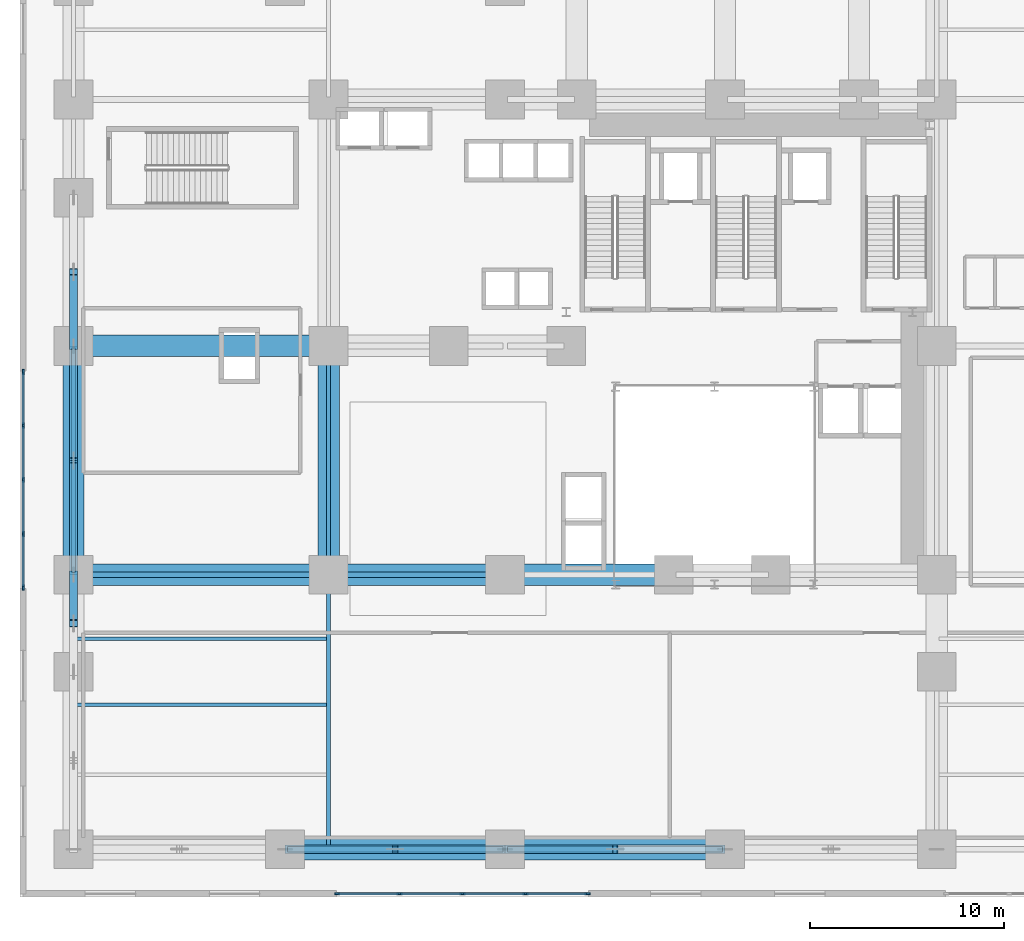
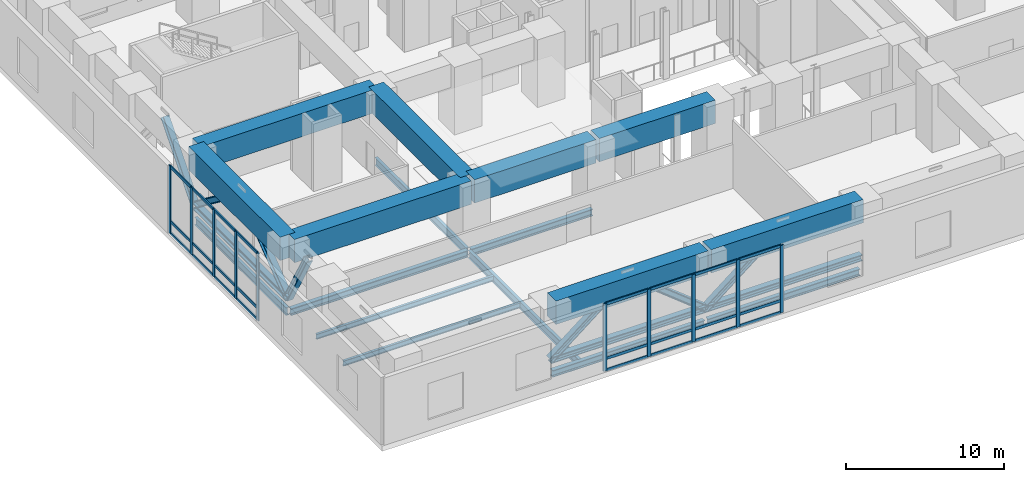
# One storey, part 3 of 17: 44 members, 17 beams, 2 elements without a shape of their own.
"""IFC4 building model written with IfcOpenShell, lengths in metres."""

from ifc_helpers import new_model, si_unit, direction, frame, origin, origin_2d, place, context, subcontext, project, spatial, rectangle, i_section, extrude, source, transform, mapped, material, material_profile, profile_set, type_object, element, aggregate, save


model = new_model("IFC4")

# Units and contexts
model_context = context("Model", 3, precision=1e-05, world=origin(), true_north=direction((0.0, 1.0)))
body_context = subcontext(model_context, "Body", "Model", "MODEL_VIEW")
ifc_project = project(units=[si_unit("LENGTHUNIT", "METRE"), si_unit("AREAUNIT", "SQUARE_METRE"), si_unit("VOLUMEUNIT", "CUBIC_METRE"), si_unit("PLANEANGLEUNIT", "RADIAN"), si_unit("MASSUNIT", "GRAM", prefix="KILO")], contexts=[model_context])

# Site, building, storey
site_placement = place(None, origin())
site = spatial("IfcSite", under=ifc_project, at=site_placement, CompositionType="ELEMENT")
building_placement = place(site_placement, origin())
building = spatial("IfcBuilding", under=site, at=building_placement, Name="Vardaveli Station Tower", CompositionType="ELEMENT")
storey_placement = place(building_placement, frame((0.0, 0.0, 11.39990234375)))
storey = spatial("IfcBuildingStorey", under=building, at=storey_placement, Name="L03", CompositionType="ELEMENT", Elevation=11.39990234375)

# Beams
ifc_material_1 = material(Name="Concrete C60/75", Category="concrete")
ifc_material_profile_1 = material_profile(ifc_material_1, rectangle(XDim=1.10009765625, YDim=1.800048828125, at=origin_2d()), Name="TG 1100x1800")
ifc_profile_set_1 = profile_set([ifc_material_profile_1], Name="Concrete C60/75")
beam_type_1 = type_object("IfcBeamType", Name="BM-TG-1800", PredefinedType="BEAM", material=ifc_profile_set_1)
shared_shape_1 = source(origin(), body_context, "Body", "SweptSolid", [
    extrude(rectangle(XDim=1.10009765625, YDim=1.800048828125, at=origin_2d()), origin(), (0.0, 0.0, 1.0), 11.56005859375),
])
for number, where, z_axis, x_axis, name in (
    (1, (3.25, 17.219970703125, 4.300048828125), (0.0, 1.0, 0.0), (-1.0, 0.0, 0.0), "TG-L03-NS-W-3"),
    (2, (16.39990234375, 17.219970703125, 4.300048828125), (0.0, 1.0, 0.0), (-1.0, 0.0, 0.0), "TG-L03-NS-M1-1"),
):
    element("IfcBeam", number, at=place(storey_placement, frame(where, z_axis=z_axis, x_axis=x_axis)), inside=storey, type_object=beam_type_1, Name=name, PredefinedType="BEAM", context=body_context, shape_type="MappedRepresentation", body=[
        mapped(shared_shape_1, transform((0.0, 0.0, 0.0), scale=1.0)),
    ])
shared_shape_2 = source(origin(), body_context, "Body", "SweptSolid", [
    extrude(rectangle(XDim=1.10009765625, YDim=1.800048828125, at=origin_2d()), origin(), (0.0, 0.0, 1.0), 11.099853515625),
])
for number, where, z_axis, x_axis, name in (
    (3, (14.280029296875, 2.949951171875, 4.300048828125), (1.0, 0.0, 0.0), (0.0, 1.0, 0.0), "TG-L03-EW-S-2"),
    (4, (25.6201171875, 2.949951171875, 4.300048828125), (1.0, 0.0, 0.0), (0.0, 1.0, 0.0), "TG-L03-EW-S-3"),
):
    element("IfcBeam", number, at=place(storey_placement, frame(where, z_axis=z_axis, x_axis=x_axis)), inside=storey, type_object=beam_type_1, Name=name, PredefinedType="BEAM", context=body_context, shape_type="MappedRepresentation", body=[
        mapped(shared_shape_2, transform((0.0, 0.0, 0.0), scale=1.0)),
    ])
shared_shape_3 = source(origin(), body_context, "Body", "SweptSolid", [
    extrude(rectangle(XDim=1.10009765625, YDim=1.800048828125, at=origin_2d()), origin(), (0.0, 0.0, 1.0), 12.909912109375),
])
for number, where, z_axis, x_axis, name in (
    (5, (3.3701171875, 17.10009765625, 4.300048828125), (1.0, 0.0, 0.0), (0.0, 1.0, 0.0), "TG-L03-EW-P-1"),
    (6, (3.3701171875, 28.89990234375, 4.300048828125), (1.0, 0.0, 0.0), (0.0, 1.0, 0.0), "TG-L03-EW-M-1"),
):
    element("IfcBeam", number, at=place(storey_placement, frame(where, z_axis=z_axis, x_axis=x_axis)), inside=storey, type_object=beam_type_1, Name=name, PredefinedType="BEAM", context=body_context, shape_type="MappedRepresentation", body=[
        mapped(shared_shape_3, transform((0.0, 0.0, 0.0), scale=1.0)),
    ])
shared_shape_4 = source(origin(), body_context, "Body", "SweptSolid", [
    extrude(rectangle(XDim=1.10009765625, YDim=1.800048828125, at=origin_2d()), origin(), (0.0, 0.0, 1.0), 8.85986328125),
])
beam_1_placement = place(storey_placement, frame((16.52001953125, 17.10009765625, 4.300048828125), z_axis=(1.0, 0.0, 0.0), x_axis=(0.0, 1.0, 0.0)))
element("IfcBeam", 7, at=beam_1_placement, inside=storey, type_object=beam_type_1, Name="TG-L03-EW-P-2", PredefinedType="BEAM", context=body_context, shape_type="MappedRepresentation", body=[
    mapped(shared_shape_4, transform((0.0, 0.0, 0.0), scale=1.0)),
])
shared_shape_5 = source(origin(), body_context, "Body", "SweptSolid", [
    extrude(rectangle(XDim=1.10009765625, YDim=1.800048828125, at=origin_2d()), origin(), (0.0, 0.0, 1.0), 8.4599609375),
])
beam_2_placement = place(storey_placement, frame((25.6201171875, 17.10009765625, 4.300048828125), z_axis=(1.0, 0.0, 0.0), x_axis=(0.0, 1.0, 0.0)))
element("IfcBeam", 8, at=beam_2_placement, inside=storey, type_object=beam_type_1, Name="TG-L03-EW-P-3", PredefinedType="BEAM", context=body_context, shape_type="MappedRepresentation", body=[
    mapped(shared_shape_5, transform((0.0, 0.0, 0.0), scale=1.0)),
])

# Members
ifc_material_2 = material(Name="Structural steel S460M", Category="steel")
ifc_material_profile_2 = material_profile(ifc_material_2, i_section(OverallWidth=0.424072265625, OverallDepth=0.465087890625, WebThickness=0.034912109375, FlangeThickness=0.055908203125, FilletRadius=0.014892578125, at=origin_2d()), Name="HD 400x592")
ifc_profile_set_2 = profile_set([ifc_material_profile_2], Name="Structural steel S460M")
member_type_1 = type_object("IfcMemberType", Name="MEM-BR-HD592", PredefinedType="BRACE", material=ifc_profile_set_2)
shared_shape_6 = source(origin(), body_context, "Body", "SweptSolid", [
    extrude(i_section(OverallWidth=0.424072265625, OverallDepth=0.465087890625, WebThickness=0.034912109375, FlangeThickness=0.055908203125, FilletRadius=0.014892578125, at=origin_2d()), origin(), (0.0, 0.0, 1.0), 5.147705078125),
])
member_1_placement = place(storey_placement, frame((3.25, 17.10009765625, 0.4501953125), z_axis=(0.0, -0.485642931179, 0.874157276122), x_axis=(1.0, 0.0, 0.0)))
element("IfcMember", 9, at=member_1_placement, inside=storey, type_object=member_type_1, Name="TTR-D2-02", PredefinedType="BRACE", context=body_context, shape_type="MappedRepresentation", body=[
    mapped(shared_shape_6, transform((0.0, 0.0, 0.0), scale=1.0)),
])
ifc_material_profile_3 = material_profile(ifc_material_2, i_section(OverallWidth=0.427978515625, OverallDepth=0.48095703125, WebThickness=0.03955078125, FlangeThickness=0.0634765625, FilletRadius=0.014892578125, at=origin_2d()), Name="HD 400x677")
ifc_profile_set_3 = profile_set([ifc_material_profile_3], Name="Structural steel S460M")
member_type_2 = type_object("IfcMemberType", Name="MEM-CH-HD677", PredefinedType="CHORD", material=ifc_profile_set_3)
shared_shape_7 = source(origin(), body_context, "Body", "SweptSolid", [
    extrude(i_section(OverallWidth=0.427978515625, OverallDepth=0.48095703125, WebThickness=0.03955078125, FlangeThickness=0.0634765625, FilletRadius=0.014892578125, at=origin_2d()), origin(), (0.0, 0.0, 1.0), 11.7998046875),
])
member_2_placement = place(storey_placement, frame((3.25, 17.10009765625, 0.4501953125), z_axis=(0.0, 1.0, 0.0), x_axis=(-1.0, 0.0, 0.0)))
element("IfcMember", 10, at=member_2_placement, inside=storey, type_object=member_type_2, Name="TTR-CH-03", PredefinedType="CHORD", context=body_context, shape_type="MappedRepresentation", body=[
    mapped(shared_shape_7, transform((0.0, 0.0, 0.0), scale=1.0)),
])
shared_shape_8 = source(origin(), body_context, "Body", "SweptSolid", [
    extrude(i_section(OverallWidth=0.424072265625, OverallDepth=0.465087890625, WebThickness=0.034912109375, FlangeThickness=0.055908203125, FilletRadius=0.014892578125, at=origin_2d()), origin(), (0.0, 0.0, 1.0), 7.420166015625),
])
for number, where, z_axis, x_axis, name in (
    (11, (3.25, 17.10009765625, 0.4501953125), (0.0, 0.795117412519, 0.60645552212), (-1.0, 0.0, 0.0), "TTR-D1-03"),
    (12, (3.25, 28.89990234375, 0.4501953125), (0.0, -0.795117412519, 0.60645552212), (1.0, 0.0, 0.0), "TTR-D2-03"),
):
    element("IfcMember", number, at=place(storey_placement, frame(where, z_axis=z_axis, x_axis=x_axis)), inside=storey, type_object=member_type_1, Name=name, PredefinedType="BRACE", context=body_context, shape_type="MappedRepresentation", body=[
        mapped(shared_shape_8, transform((0.0, 0.0, 0.0), scale=1.0)),
    ])
shared_shape_9 = source(origin(), body_context, "Body", "SweptSolid", [
    extrude(i_section(OverallWidth=0.424072265625, OverallDepth=0.465087890625, WebThickness=0.034912109375, FlangeThickness=0.055908203125, FilletRadius=0.014892578125, at=origin_2d()), origin(), (0.0, 0.0, 1.0), 5.90283203125),
])
member_3_placement = place(storey_placement, frame((3.25, 28.89990234375, 0.4501953125), z_axis=(0.0, 0.64716325183, 0.76235144486), x_axis=(-1.0, 0.0, 0.0)))
element("IfcMember", 13, at=member_3_placement, inside=storey, type_object=member_type_1, Name="TTR-D1-04", PredefinedType="BRACE", context=body_context, shape_type="MappedRepresentation", body=[
    mapped(shared_shape_9, transform((0.0, 0.0, 0.0), scale=1.0)),
])
shared_shape_10 = source(origin(), body_context, "Body", "SweptSolid", [
    extrude(i_section(OverallWidth=0.427978515625, OverallDepth=0.48095703125, WebThickness=0.03955078125, FlangeThickness=0.0634765625, FilletRadius=0.014892578125, at=origin_2d()), origin(), (0.0, 0.0, 1.0), 11.340087890625),
])
for number, where, z_axis, x_axis, name in (
    (14, (14.159912109375, 2.949951171875, 0.4501953125), (1.0, 0.0, 0.0), (0.0, 1.0, 0.0), "TTR-CH-10"),
    (15, (25.5, 2.949951171875, 0.4501953125), (1.0, 0.0, 0.0), (0.0, 1.0, 0.0), "TTR-CH-11"),
):
    element("IfcMember", number, at=place(storey_placement, frame(where, z_axis=z_axis, x_axis=x_axis)), inside=storey, type_object=member_type_2, Name=name, PredefinedType="CHORD", context=body_context, shape_type="MappedRepresentation", body=[
        mapped(shared_shape_10, transform((0.0, 0.0, 0.0), scale=1.0)),
    ])
shared_shape_11 = source(origin(), body_context, "Body", "SweptSolid", [
    extrude(i_section(OverallWidth=0.424072265625, OverallDepth=0.465087890625, WebThickness=0.034912109375, FlangeThickness=0.055908203125, FilletRadius=0.014892578125, at=origin_2d()), origin(), (0.0, 0.0, 1.0), 7.23876953125),
])
member_4_placement = place(storey_placement, frame((14.159912109375, 2.949951171875, 0.4501953125), z_axis=(0.783297766016, 0.0, 0.621646692065), x_axis=(0.0, 1.0, 0.0)))
element("IfcMember", 16, at=member_4_placement, inside=storey, type_object=member_type_1, Name="TTR-D1-10", PredefinedType="BRACE", context=body_context, shape_type="MappedRepresentation", body=[
    mapped(shared_shape_11, transform((0.0, 0.0, 0.0), scale=1.0)),
])
shared_shape_12 = source(origin(), body_context, "Body", "SweptSolid", [
    extrude(i_section(OverallWidth=0.424072265625, OverallDepth=0.465087890625, WebThickness=0.034912109375, FlangeThickness=0.055908203125, FilletRadius=0.014892578125, at=origin_2d()), origin(), (0.0, 0.0, 1.0), 7.238525390625),
])
for number, where, z_axis, x_axis, name in (
    (17, (25.5, 2.949951171875, 0.4501953125), (-0.783284732078, 0.0, 0.621663114953), (0.0, -1.0, 0.0), "TTR-D2-10"),
    (18, (25.5, 2.949951171875, 0.4501953125), (0.783284732078, 0.0, 0.621663114953), (0.0, 1.0, 0.0), "TTR-D1-11"),
):
    element("IfcMember", number, at=place(storey_placement, frame(where, z_axis=z_axis, x_axis=x_axis)), inside=storey, type_object=member_type_1, Name=name, PredefinedType="BRACE", context=body_context, shape_type="MappedRepresentation", body=[
        mapped(shared_shape_12, transform((0.0, 0.0, 0.0), scale=1.0)),
    ])

# Beams
ifc_material_3 = material(Name="Structural steel S355J2", Category="steel")
ifc_material_profile_4 = material_profile(ifc_material_3, i_section(OverallWidth=0.305908203125, OverallDepth=0.52392578125, WebThickness=0.02099609375, FlangeThickness=0.0400390625, FilletRadius=0.027099609375, at=origin_2d()), Name="HEM 500")
ifc_profile_set_4 = profile_set([ifc_material_profile_4], Name="Structural steel S355J2")
beam_type_2 = type_object("IfcBeamType", Name="BM-HEM500", PredefinedType="BEAM", material=ifc_profile_set_4)
shared_shape_13 = source(origin(), body_context, "Body", "SweptSolid", [
    extrude(i_section(OverallWidth=0.305908203125, OverallDepth=0.52392578125, WebThickness=0.02099609375, FlangeThickness=0.0400390625, FilletRadius=0.027099609375, at=origin_2d()), origin(), (0.0, 0.0, 1.0), 11.099853515625),
])
for number, where, z_axis, x_axis, name in (
    (19, (14.280029296875, 2.949951171875, -0.661865234375), (1.0, 0.0, 0.0), (0.0, 1.0, 0.0), "PBM-L03-EW0-1"),
    (20, (25.6201171875, 2.949951171875, -0.661865234375), (1.0, 0.0, 0.0), (0.0, 1.0, 0.0), "PBM-L03-EW0-2"),
):
    element("IfcBeam", number, at=place(storey_placement, frame(where, z_axis=z_axis, x_axis=x_axis)), inside=storey, type_object=beam_type_2, Name=name, PredefinedType="BEAM", context=body_context, shape_type="MappedRepresentation", body=[
        mapped(shared_shape_13, transform((0.0, 0.0, 0.0), scale=1.0)),
    ])
shared_shape_14 = source(origin(), body_context, "Body", "SweptSolid", [
    extrude(i_section(OverallWidth=0.305908203125, OverallDepth=0.52392578125, WebThickness=0.02099609375, FlangeThickness=0.0400390625, FilletRadius=0.027099609375, at=origin_2d()), origin(), (0.0, 0.0, 1.0), 12.909912109375),
])
beam_3_placement = place(storey_placement, frame((3.3701171875, 17.10009765625, -0.661865234375), z_axis=(1.0, 0.0, 0.0), x_axis=(0.0, 1.0, 0.0)))
element("IfcBeam", 21, at=beam_3_placement, inside=storey, type_object=beam_type_2, Name="PBM-L03-EW1-0", PredefinedType="BEAM", context=body_context, shape_type="MappedRepresentation", body=[
    mapped(shared_shape_14, transform((0.0, 0.0, 0.0), scale=1.0)),
])
shared_shape_15 = source(origin(), body_context, "Body", "SweptSolid", [
    extrude(i_section(OverallWidth=0.305908203125, OverallDepth=0.52392578125, WebThickness=0.02099609375, FlangeThickness=0.0400390625, FilletRadius=0.027099609375, at=origin_2d()), origin(), (0.0, 0.0, 1.0), 8.85986328125),
])
beam_4_placement = place(storey_placement, frame((16.52001953125, 17.10009765625, -0.661865234375), z_axis=(1.0, 0.0, 0.0), x_axis=(0.0, 1.0, 0.0)))
element("IfcBeam", 22, at=beam_4_placement, inside=storey, type_object=beam_type_2, Name="PBM-L03-EW1-1", PredefinedType="BEAM", context=body_context, shape_type="MappedRepresentation", body=[
    mapped(shared_shape_15, transform((0.0, 0.0, 0.0), scale=1.0)),
])
ifc_material_profile_5 = material_profile(ifc_material_3, i_section(OverallWidth=0.219970703125, OverallDepth=0.60009765625, WebThickness=0.011962890625, FlangeThickness=0.01904296875, FilletRadius=0.02392578125, at=origin_2d()), Name="IPE 600")
ifc_profile_set_5 = profile_set([ifc_material_profile_5], Name="Structural steel S355J2")
beam_type_3 = type_object("IfcBeamType", Name="BM-IPE600", PredefinedType="BEAM", material=ifc_profile_set_5)
shared_shape_16 = source(origin(), body_context, "Body", "SweptSolid", [
    extrude(i_section(OverallWidth=0.219970703125, OverallDepth=0.60009765625, WebThickness=0.011962890625, FlangeThickness=0.01904296875, FilletRadius=0.02392578125, at=origin_2d()), origin(), (0.0, 0.0, 1.0), 13.909912109375),
])
beam_5_placement = place(storey_placement, frame((16.39990234375, 3.070068359375, -0.699951171875), z_axis=(0.0, 1.0, 0.0), x_axis=(-1.0, 0.0, 0.0)))
element("IfcBeam", 23, at=beam_5_placement, inside=storey, type_object=beam_type_3, Name="PBM-L03-NS1-0", PredefinedType="BEAM", context=body_context, shape_type="MappedRepresentation", body=[
    mapped(shared_shape_16, transform((0.0, 0.0, 0.0), scale=1.0)),
])
shared_shape_17 = source(origin(), body_context, "Body", "SweptSolid", [
    extrude(i_section(OverallWidth=0.219970703125, OverallDepth=0.60009765625, WebThickness=0.011962890625, FlangeThickness=0.01904296875, FilletRadius=0.02392578125, at=origin_2d()), origin(), (0.0, 0.0, 1.0), 11.56005859375),
])
for number, where, z_axis, x_axis, name in (
    (24, (3.25, 17.219970703125, -0.699951171875), (0.0, 1.0, 0.0), (-1.0, 0.0, 0.0), "PBM-L03-NS0-1"),
    (25, (16.39990234375, 17.219970703125, -0.699951171875), (0.0, 1.0, 0.0), (-1.0, 0.0, 0.0), "PBM-L03-NS1-1"),
):
    element("IfcBeam", number, at=place(storey_placement, frame(where, z_axis=z_axis, x_axis=x_axis)), inside=storey, type_object=beam_type_3, Name=name, PredefinedType="BEAM", context=body_context, shape_type="MappedRepresentation", body=[
        mapped(shared_shape_17, transform((0.0, 0.0, 0.0), scale=1.0)),
    ])
ifc_material_profile_6 = material_profile(ifc_material_3, i_section(OverallWidth=0.179931640625, OverallDepth=0.39990234375, WebThickness=0.008544921875, FlangeThickness=0.013427734375, FilletRadius=0.02099609375, at=origin_2d()), Name="IPE 400")
ifc_profile_set_6 = profile_set([ifc_material_profile_6], Name="Structural steel S355J2")
beam_type_4 = type_object("IfcBeamType", Name="BM-IPE400", PredefinedType="JOIST", material=ifc_profile_set_6)
shared_shape_18 = source(origin(), body_context, "Body", "SweptSolid", [
    extrude(i_section(OverallWidth=0.179931640625, OverallDepth=0.39990234375, WebThickness=0.008544921875, FlangeThickness=0.013427734375, FilletRadius=0.02099609375, at=origin_2d()), origin(), (0.0, 0.0, 1.0), 12.926025390625),
])
for number, where, z_axis, x_axis, name in (
    (26, (3.362060546875, 10.39990234375, -0.599853515625), (1.0, 0.0, 0.0), (0.0, 1.0, 0.0), "PJ-L03-2-0"),
    (27, (3.362060546875, 13.800048828125, -0.599853515625), (1.0, 0.0, 0.0), (0.0, 1.0, 0.0), "PJ-L03-3-0"),
):
    element("IfcBeam", number, at=place(storey_placement, frame(where, z_axis=z_axis, x_axis=x_axis)), inside=storey, type_object=beam_type_4, Name=name, PredefinedType="JOIST", context=body_context, shape_type="MappedRepresentation", body=[
        mapped(shared_shape_18, transform((0.0, 0.0, 0.0), scale=1.0)),
    ])

# Curtain wall, members
ifc_material_4 = material(Name="Travertine stone and solar-control glass", Category="masonry")
curtain_wall_type = type_object("IfcCurtainWallType", Name="CW-SYS-1", PredefinedType="NOTDEFINED", material=ifc_material_4)
curtain_wall_1_placement = place(storey_placement, origin())
curtain_wall_1 = element("IfcCurtainWall", 28, at=curtain_wall_1_placement, inside=storey, type_object=curtain_wall_type, Name="CW-L03-S2", PredefinedType="NOTDEFINED")
ifc_material_5 = material(Name="Anodised aluminium alloy 6063-T6", Category="aluminium")
ifc_material_profile_7 = material_profile(ifc_material_5, rectangle(XDim=0.094970703125, YDim=0.2099609375, at=origin_2d()), Name="CWT 95x210")
ifc_profile_set_7 = profile_set([ifc_material_profile_7], Name="Anodised aluminium alloy 6063-T6")
member_type_3 = type_object("IfcMemberType", Name="CW-SYS-1-TRAN", PredefinedType="NOTDEFINED", material=ifc_profile_set_7)
shared_shape_19 = source(origin(), body_context, "Body", "SweptSolid", [
    extrude(rectangle(XDim=0.094970703125, YDim=0.2099609375, at=origin_2d()), origin(), (0.0, 0.0, 1.0), 3.107421875),
])
member_5_placement = place(storey_placement, frame((16.89501953125, 0.64990234375, 0.047607421875), z_axis=(1.0, 0.0, 0.0), x_axis=(0.0, 1.0, 0.0)))
member_5 = element("IfcMember", 29, at=member_5_placement, type_object=member_type_3, Name="CW-1 transom 1.1", ObjectType="TRANSOM", PredefinedType="USERDEFINED", context=body_context, shape_type="MappedRepresentation", body=[
    mapped(shared_shape_19, transform((0.0, 0.0, 0.0), scale=1.0)),
])
member_6_placement = place(storey_placement, frame((16.89501953125, 0.64990234375, 0.9501953125), z_axis=(1.0, 0.0, 0.0), x_axis=(0.0, 1.0, 0.0)))
member_6 = element("IfcMember", 30, at=member_6_placement, type_object=member_type_3, Name="CW-1 transom 1.2", ObjectType="TRANSOM", PredefinedType="USERDEFINED", context=body_context, shape_type="MappedRepresentation", body=[
    mapped(shared_shape_19, transform((0.0, 0.0, 0.0), scale=1.0)),
])
member_7_placement = place(storey_placement, frame((16.89501953125, 0.64990234375, 5.152587890625), z_axis=(1.0, 0.0, 0.0), x_axis=(0.0, 1.0, 0.0)))
member_7 = element("IfcMember", 31, at=member_7_placement, type_object=member_type_3, Name="CW-1 transom 1.3", ObjectType="TRANSOM", PredefinedType="USERDEFINED", context=body_context, shape_type="MappedRepresentation", body=[
    mapped(shared_shape_19, transform((0.0, 0.0, 0.0), scale=1.0)),
])
shared_shape_20 = source(origin(), body_context, "Body", "SweptSolid", [
    extrude(rectangle(XDim=0.094970703125, YDim=0.2099609375, at=origin_2d()), origin(), (0.0, 0.0, 1.0), 3.155029296875),
])
member_8_placement = place(storey_placement, frame((20.097412109375, 0.64990234375, 0.047607421875), z_axis=(1.0, 0.0, 0.0), x_axis=(0.0, 1.0, 0.0)))
member_8 = element("IfcMember", 32, at=member_8_placement, type_object=member_type_3, Name="CW-1 transom 2.1", ObjectType="TRANSOM", PredefinedType="USERDEFINED", context=body_context, shape_type="MappedRepresentation", body=[
    mapped(shared_shape_20, transform((0.0, 0.0, 0.0), scale=1.0)),
])
member_9_placement = place(storey_placement, frame((20.097412109375, 0.64990234375, 0.9501953125), z_axis=(1.0, 0.0, 0.0), x_axis=(0.0, 1.0, 0.0)))
member_9 = element("IfcMember", 33, at=member_9_placement, type_object=member_type_3, Name="CW-1 transom 2.2", ObjectType="TRANSOM", PredefinedType="USERDEFINED", context=body_context, shape_type="MappedRepresentation", body=[
    mapped(shared_shape_20, transform((0.0, 0.0, 0.0), scale=1.0)),
])
member_10_placement = place(storey_placement, frame((20.097412109375, 0.64990234375, 5.152587890625), z_axis=(1.0, 0.0, 0.0), x_axis=(0.0, 1.0, 0.0)))
member_10 = element("IfcMember", 34, at=member_10_placement, type_object=member_type_3, Name="CW-1 transom 2.3", ObjectType="TRANSOM", PredefinedType="USERDEFINED", context=body_context, shape_type="MappedRepresentation", body=[
    mapped(shared_shape_20, transform((0.0, 0.0, 0.0), scale=1.0)),
])
member_11_placement = place(storey_placement, frame((23.347412109375, 0.64990234375, 0.047607421875), z_axis=(1.0, 0.0, 0.0), x_axis=(0.0, 1.0, 0.0)))
member_11 = element("IfcMember", 35, at=member_11_placement, type_object=member_type_3, Name="CW-1 transom 3.1", ObjectType="TRANSOM", PredefinedType="USERDEFINED", context=body_context, shape_type="MappedRepresentation", body=[
    mapped(shared_shape_20, transform((0.0, 0.0, 0.0), scale=1.0)),
])
member_12_placement = place(storey_placement, frame((23.347412109375, 0.64990234375, 0.9501953125), z_axis=(1.0, 0.0, 0.0), x_axis=(0.0, 1.0, 0.0)))
member_12 = element("IfcMember", 36, at=member_12_placement, type_object=member_type_3, Name="CW-1 transom 3.2", ObjectType="TRANSOM", PredefinedType="USERDEFINED", context=body_context, shape_type="MappedRepresentation", body=[
    mapped(shared_shape_20, transform((0.0, 0.0, 0.0), scale=1.0)),
])
member_13_placement = place(storey_placement, frame((23.347412109375, 0.64990234375, 5.152587890625), z_axis=(1.0, 0.0, 0.0), x_axis=(0.0, 1.0, 0.0)))
member_13 = element("IfcMember", 37, at=member_13_placement, type_object=member_type_3, Name="CW-1 transom 3.3", ObjectType="TRANSOM", PredefinedType="USERDEFINED", context=body_context, shape_type="MappedRepresentation", body=[
    mapped(shared_shape_20, transform((0.0, 0.0, 0.0), scale=1.0)),
])
shared_shape_21 = source(origin(), body_context, "Body", "SweptSolid", [
    extrude(rectangle(XDim=0.094970703125, YDim=0.2099609375, at=origin_2d()), origin(), (0.0, 0.0, 1.0), 3.107666015625),
])
member_14_placement = place(storey_placement, frame((26.597412109375, 0.64990234375, 0.047607421875), z_axis=(1.0, 0.0, 0.0), x_axis=(0.0, 1.0, 0.0)))
member_14 = element("IfcMember", 38, at=member_14_placement, type_object=member_type_3, Name="CW-1 transom 4.1", ObjectType="TRANSOM", PredefinedType="USERDEFINED", context=body_context, shape_type="MappedRepresentation", body=[
    mapped(shared_shape_21, transform((0.0, 0.0, 0.0), scale=1.0)),
])
member_15_placement = place(storey_placement, frame((26.597412109375, 0.64990234375, 0.9501953125), z_axis=(1.0, 0.0, 0.0), x_axis=(0.0, 1.0, 0.0)))
member_15 = element("IfcMember", 39, at=member_15_placement, type_object=member_type_3, Name="CW-1 transom 4.2", ObjectType="TRANSOM", PredefinedType="USERDEFINED", context=body_context, shape_type="MappedRepresentation", body=[
    mapped(shared_shape_21, transform((0.0, 0.0, 0.0), scale=1.0)),
])
member_16_placement = place(storey_placement, frame((26.597412109375, 0.64990234375, 5.152587890625), z_axis=(1.0, 0.0, 0.0), x_axis=(0.0, 1.0, 0.0)))
member_16 = element("IfcMember", 40, at=member_16_placement, type_object=member_type_3, Name="CW-1 transom 4.3", ObjectType="TRANSOM", PredefinedType="USERDEFINED", context=body_context, shape_type="MappedRepresentation", body=[
    mapped(shared_shape_21, transform((0.0, 0.0, 0.0), scale=1.0)),
])

curtain_wall_2_placement = place(storey_placement, origin())
curtain_wall_2 = element("IfcCurtainWall", 41, at=curtain_wall_2_placement, inside=storey, type_object=curtain_wall_type, Name="CW-L03-W2", PredefinedType="NOTDEFINED")
shared_shape_22 = source(origin(), body_context, "Body", "SweptSolid", [
    extrude(rectangle(XDim=0.094970703125, YDim=0.2099609375, at=origin_2d()), origin(), (0.0, 0.0, 1.0), 2.657470703125),
])
member_17_placement = place(storey_placement, frame((0.64990234375, 27.5048828125, 0.047607421875), z_axis=(0.0, -1.0, 0.0), x_axis=(1.0, 0.0, 0.0)))
member_17 = element("IfcMember", 42, at=member_17_placement, type_object=member_type_3, Name="CW-1 transom 1.1", ObjectType="TRANSOM", PredefinedType="USERDEFINED", context=body_context, shape_type="MappedRepresentation", body=[
    mapped(shared_shape_22, transform((0.0, 0.0, 0.0), scale=1.0)),
])
member_18_placement = place(storey_placement, frame((0.64990234375, 27.5048828125, 0.9501953125), z_axis=(0.0, -1.0, 0.0), x_axis=(1.0, 0.0, 0.0)))
member_18 = element("IfcMember", 43, at=member_18_placement, type_object=member_type_3, Name="CW-1 transom 1.2", ObjectType="TRANSOM", PredefinedType="USERDEFINED", context=body_context, shape_type="MappedRepresentation", body=[
    mapped(shared_shape_22, transform((0.0, 0.0, 0.0), scale=1.0)),
])
member_19_placement = place(storey_placement, frame((0.64990234375, 27.5048828125, 5.152587890625), z_axis=(0.0, -1.0, 0.0), x_axis=(1.0, 0.0, 0.0)))
member_19 = element("IfcMember", 44, at=member_19_placement, type_object=member_type_3, Name="CW-1 transom 1.3", ObjectType="TRANSOM", PredefinedType="USERDEFINED", context=body_context, shape_type="MappedRepresentation", body=[
    mapped(shared_shape_22, transform((0.0, 0.0, 0.0), scale=1.0)),
])
member_20_placement = place(storey_placement, frame((0.64990234375, 19.152587890625, 0.047607421875), z_axis=(0.0, -1.0, 0.0), x_axis=(1.0, 0.0, 0.0)))
member_20 = element("IfcMember", 45, at=member_20_placement, type_object=member_type_3, Name="CW-1 transom 4.1", ObjectType="TRANSOM", PredefinedType="USERDEFINED", context=body_context, shape_type="MappedRepresentation", body=[
    mapped(shared_shape_22, transform((0.0, 0.0, 0.0), scale=1.0)),
])
member_21_placement = place(storey_placement, frame((0.64990234375, 19.152587890625, 0.9501953125), z_axis=(0.0, -1.0, 0.0), x_axis=(1.0, 0.0, 0.0)))
member_21 = element("IfcMember", 46, at=member_21_placement, type_object=member_type_3, Name="CW-1 transom 4.2", ObjectType="TRANSOM", PredefinedType="USERDEFINED", context=body_context, shape_type="MappedRepresentation", body=[
    mapped(shared_shape_22, transform((0.0, 0.0, 0.0), scale=1.0)),
])
member_22_placement = place(storey_placement, frame((0.64990234375, 19.152587890625, 5.152587890625), z_axis=(0.0, -1.0, 0.0), x_axis=(1.0, 0.0, 0.0)))
member_22 = element("IfcMember", 47, at=member_22_placement, type_object=member_type_3, Name="CW-1 transom 4.3", ObjectType="TRANSOM", PredefinedType="USERDEFINED", context=body_context, shape_type="MappedRepresentation", body=[
    mapped(shared_shape_22, transform((0.0, 0.0, 0.0), scale=1.0)),
])
shared_shape_23 = source(origin(), body_context, "Body", "SweptSolid", [
    extrude(rectangle(XDim=0.094970703125, YDim=0.2099609375, at=origin_2d()), origin(), (0.0, 0.0, 1.0), 2.704833984375),
])
member_23_placement = place(storey_placement, frame((0.64990234375, 24.75244140625, 0.047607421875), z_axis=(0.0, -1.0, 0.0), x_axis=(1.0, 0.0, 0.0)))
member_23 = element("IfcMember", 48, at=member_23_placement, type_object=member_type_3, Name="CW-1 transom 2.1", ObjectType="TRANSOM", PredefinedType="USERDEFINED", context=body_context, shape_type="MappedRepresentation", body=[
    mapped(shared_shape_23, transform((0.0, 0.0, 0.0), scale=1.0)),
])
member_24_placement = place(storey_placement, frame((0.64990234375, 24.75244140625, 0.9501953125), z_axis=(0.0, -1.0, 0.0), x_axis=(1.0, 0.0, 0.0)))
member_24 = element("IfcMember", 49, at=member_24_placement, type_object=member_type_3, Name="CW-1 transom 2.2", ObjectType="TRANSOM", PredefinedType="USERDEFINED", context=body_context, shape_type="MappedRepresentation", body=[
    mapped(shared_shape_23, transform((0.0, 0.0, 0.0), scale=1.0)),
])
member_25_placement = place(storey_placement, frame((0.64990234375, 24.75244140625, 5.152587890625), z_axis=(0.0, -1.0, 0.0), x_axis=(1.0, 0.0, 0.0)))
member_25 = element("IfcMember", 50, at=member_25_placement, type_object=member_type_3, Name="CW-1 transom 2.3", ObjectType="TRANSOM", PredefinedType="USERDEFINED", context=body_context, shape_type="MappedRepresentation", body=[
    mapped(shared_shape_23, transform((0.0, 0.0, 0.0), scale=1.0)),
])
member_26_placement = place(storey_placement, frame((0.64990234375, 21.952392578125, 0.047607421875), z_axis=(0.0, -1.0, 0.0), x_axis=(1.0, 0.0, 0.0)))
member_26 = element("IfcMember", 51, at=member_26_placement, type_object=member_type_3, Name="CW-1 transom 3.1", ObjectType="TRANSOM", PredefinedType="USERDEFINED", context=body_context, shape_type="MappedRepresentation", body=[
    mapped(shared_shape_23, transform((0.0, 0.0, 0.0), scale=1.0)),
])
member_27_placement = place(storey_placement, frame((0.64990234375, 21.952392578125, 0.9501953125), z_axis=(0.0, -1.0, 0.0), x_axis=(1.0, 0.0, 0.0)))
member_27 = element("IfcMember", 52, at=member_27_placement, type_object=member_type_3, Name="CW-1 transom 3.2", ObjectType="TRANSOM", PredefinedType="USERDEFINED", context=body_context, shape_type="MappedRepresentation", body=[
    mapped(shared_shape_23, transform((0.0, 0.0, 0.0), scale=1.0)),
])
member_28_placement = place(storey_placement, frame((0.64990234375, 21.952392578125, 5.152587890625), z_axis=(0.0, -1.0, 0.0), x_axis=(1.0, 0.0, 0.0)))
member_28 = element("IfcMember", 53, at=member_28_placement, type_object=member_type_3, Name="CW-1 transom 3.3", ObjectType="TRANSOM", PredefinedType="USERDEFINED", context=body_context, shape_type="MappedRepresentation", body=[
    mapped(shared_shape_23, transform((0.0, 0.0, 0.0), scale=1.0)),
])

# Member
ifc_material_profile_8 = material_profile(ifc_material_5, rectangle(XDim=0.094970703125, YDim=0.27001953125, at=origin_2d()), Name="CWM 95x270")
ifc_profile_set_8 = profile_set([ifc_material_profile_8], Name="Anodised aluminium alloy 6063-T6")
member_type_4 = type_object("IfcMemberType", Name="CW-SYS-1-MULL", PredefinedType="MULLION", material=ifc_profile_set_8)
shared_shape_24 = source(origin(), body_context, "Body", "SweptSolid", [
    extrude(rectangle(XDim=0.094970703125, YDim=0.27001953125, at=origin_2d()), origin(), (0.0, 0.0, 1.0), 5.2001953125),
])
member_29_placement = place(storey_placement, frame((16.847412109375, 0.64990234375, 0.0), z_axis=(0.0, 0.0, 1.0), x_axis=(0.0, 1.0, 0.0)))
member_29 = element("IfcMember", 54, at=member_29_placement, type_object=member_type_4, Name="CW-1 mullion 1", PredefinedType="MULLION", context=body_context, shape_type="MappedRepresentation", body=[
    mapped(shared_shape_24, transform((0.0, 0.0, 0.0), scale=1.0)),
])

member_30_placement = place(storey_placement, frame((20.050048828125, 0.64990234375, 0.0), z_axis=(0.0, 0.0, 1.0), x_axis=(0.0, 1.0, 0.0)))
member_30 = element("IfcMember", 55, at=member_30_placement, type_object=member_type_4, Name="CW-1 mullion 2", PredefinedType="MULLION", context=body_context, shape_type="MappedRepresentation", body=[
    mapped(shared_shape_24, transform((0.0, 0.0, 0.0), scale=1.0)),
])

member_31_placement = place(storey_placement, frame((23.300048828125, 0.64990234375, 0.0), z_axis=(0.0, 0.0, 1.0), x_axis=(0.0, 1.0, 0.0)))
member_31 = element("IfcMember", 56, at=member_31_placement, type_object=member_type_4, Name="CW-1 mullion 3", PredefinedType="MULLION", context=body_context, shape_type="MappedRepresentation", body=[
    mapped(shared_shape_24, transform((0.0, 0.0, 0.0), scale=1.0)),
])

member_32_placement = place(storey_placement, frame((26.550048828125, 0.64990234375, 0.0), z_axis=(0.0, 0.0, 1.0), x_axis=(0.0, 1.0, 0.0)))
member_32 = element("IfcMember", 57, at=member_32_placement, type_object=member_type_4, Name="CW-1 mullion 4", PredefinedType="MULLION", context=body_context, shape_type="MappedRepresentation", body=[
    mapped(shared_shape_24, transform((0.0, 0.0, 0.0), scale=1.0)),
])

member_33_placement = place(storey_placement, frame((29.75244140625, 0.64990234375, 0.0), z_axis=(0.0, 0.0, 1.0), x_axis=(0.0, 1.0, 0.0)))
member_33 = element("IfcMember", 58, at=member_33_placement, type_object=member_type_4, Name="CW-1 mullion 5", PredefinedType="MULLION", context=body_context, shape_type="MappedRepresentation", body=[
    mapped(shared_shape_24, transform((0.0, 0.0, 0.0), scale=1.0)),
])

aggregate(curtain_wall_1, [member_29, member_30, member_31, member_32, member_33, member_5, member_6, member_7, member_8, member_9, member_10, member_11, member_12, member_13, member_14, member_15, member_16])

member_34_placement = place(storey_placement, frame((0.64990234375, 27.552490234375, 0.0), z_axis=(0.0, 0.0, 1.0), x_axis=(1.0, 0.0, 0.0)))
member_34 = element("IfcMember", 59, at=member_34_placement, type_object=member_type_4, Name="CW-1 mullion 1", PredefinedType="MULLION", context=body_context, shape_type="MappedRepresentation", body=[
    mapped(shared_shape_24, transform((0.0, 0.0, 0.0), scale=1.0)),
])

member_35_placement = place(storey_placement, frame((0.64990234375, 24.800048828125, 0.0), z_axis=(0.0, 0.0, 1.0), x_axis=(1.0, 0.0, 0.0)))
member_35 = element("IfcMember", 60, at=member_35_placement, type_object=member_type_4, Name="CW-1 mullion 2", PredefinedType="MULLION", context=body_context, shape_type="MappedRepresentation", body=[
    mapped(shared_shape_24, transform((0.0, 0.0, 0.0), scale=1.0)),
])

member_36_placement = place(storey_placement, frame((0.64990234375, 22.0, 0.0), z_axis=(0.0, 0.0, 1.0), x_axis=(1.0, 0.0, 0.0)))
member_36 = element("IfcMember", 61, at=member_36_placement, type_object=member_type_4, Name="CW-1 mullion 3", PredefinedType="MULLION", context=body_context, shape_type="MappedRepresentation", body=[
    mapped(shared_shape_24, transform((0.0, 0.0, 0.0), scale=1.0)),
])

member_37_placement = place(storey_placement, frame((0.64990234375, 19.199951171875, 0.0), z_axis=(0.0, 0.0, 1.0), x_axis=(1.0, 0.0, 0.0)))
member_37 = element("IfcMember", 62, at=member_37_placement, type_object=member_type_4, Name="CW-1 mullion 4", PredefinedType="MULLION", context=body_context, shape_type="MappedRepresentation", body=[
    mapped(shared_shape_24, transform((0.0, 0.0, 0.0), scale=1.0)),
])

member_38_placement = place(storey_placement, frame((0.64990234375, 16.447509765625, 0.0), z_axis=(0.0, 0.0, 1.0), x_axis=(1.0, 0.0, 0.0)))
member_38 = element("IfcMember", 63, at=member_38_placement, type_object=member_type_4, Name="CW-1 mullion 5", PredefinedType="MULLION", context=body_context, shape_type="MappedRepresentation", body=[
    mapped(shared_shape_24, transform((0.0, 0.0, 0.0), scale=1.0)),
])

aggregate(curtain_wall_2, [member_34, member_35, member_36, member_37, member_38, member_17, member_18, member_19, member_23, member_24, member_25, member_26, member_27, member_28, member_20, member_21, member_22])

save(model, "model.ifc")
